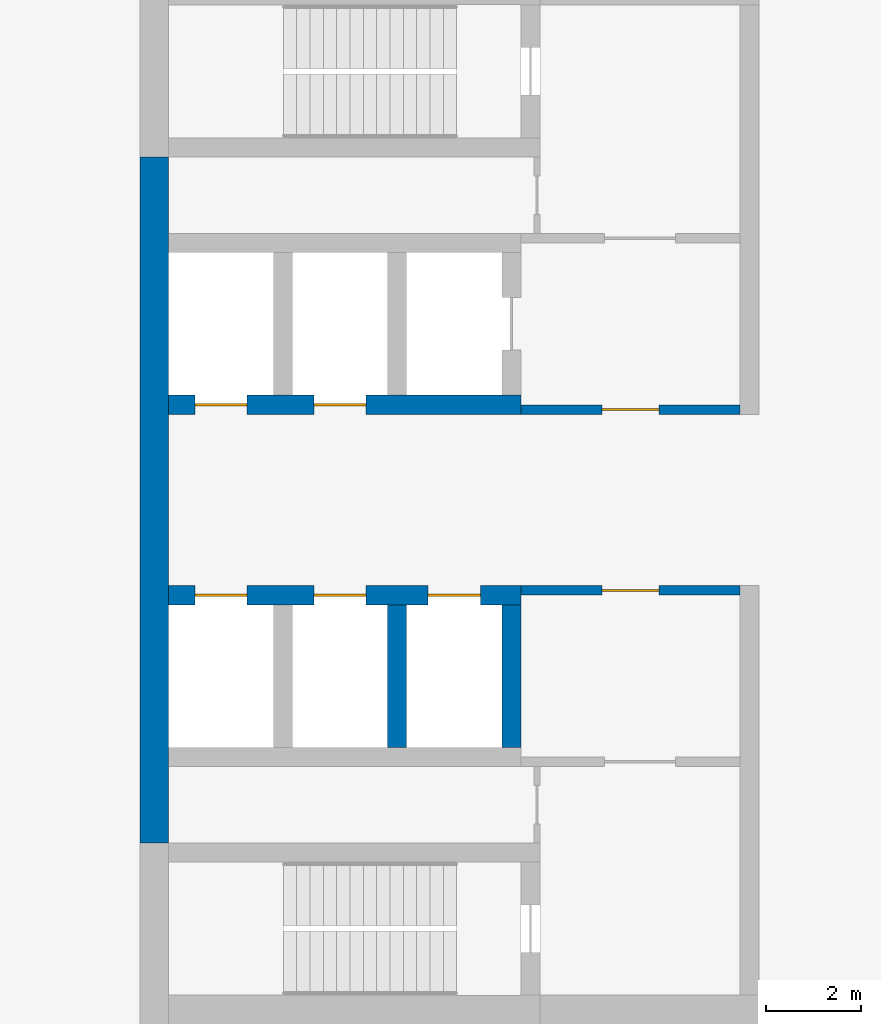
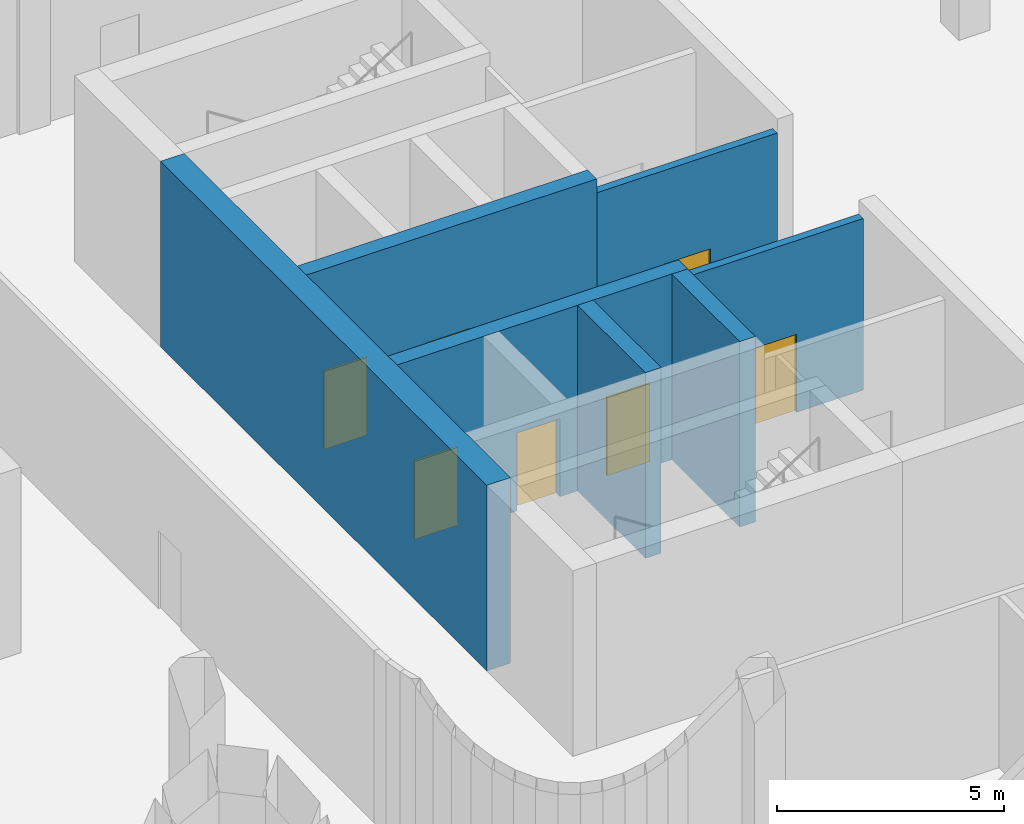
# One storey, part 10 of 18: 7 doors, 7 walls, 7 openings.
"""IFC4 building model written with IfcOpenShell, lengths in metres."""

from ifc_helpers import new_model, si_unit, direction, frame, frame_2d, origin, place, context, subcontext, project, spatial, rectangle, extrude, material, layer, layer_set, type_object, element, fill, save


model = new_model("IFC4")

# Units and contexts
model_context = context("Model", 3, precision=1e-05, world=origin(), true_north=direction((0.0, 1.0)))
body_context = subcontext(model_context, "Body", "Model", "MODEL_VIEW")
ifc_project = project(units=[si_unit("LENGTHUNIT", "METRE"), si_unit("AREAUNIT", "SQUARE_METRE"), si_unit("VOLUMEUNIT", "CUBIC_METRE"), si_unit("PLANEANGLEUNIT", "RADIAN"), si_unit("MASSUNIT", "GRAM", prefix="KILO")], contexts=[model_context])

# Site, building, storey
site_placement = place(None, origin())
site = spatial("IfcSite", under=ifc_project, at=site_placement, CompositionType="ELEMENT")
building_placement = place(site_placement, origin())
building = spatial("IfcBuilding", under=site, at=building_placement, Name="Skarvind Civic Tower", CompositionType="ELEMENT")
storey_placement = place(building_placement, frame((0.0, 0.0, 22.5)))
storey = spatial("IfcBuildingStorey", under=building, at=storey_placement, Name="L04", CompositionType="ELEMENT", Elevation=22.5)

# Wall, opening, door
ifc_material_1 = material(Name="Fire-rated masonry partition", Category="masonry")
ifc_layer_1 = layer(ifc_material_1, 0.199951171875)
ifc_layer_set_1 = layer_set([ifc_layer_1], Name="Core enclosure wall 200")
wall_type_1 = type_object("IfcWallType", Name="Core enclosure wall 200", PredefinedType="PARTITIONING", material=ifc_layer_set_1)
wall_1_placement = place(storey_placement, frame((135.0, 129.89990234375, 0.0), z_axis=(0.0, 0.0, 1.0), x_axis=(1.0, 0.0, 0.0)))
wall_1 = element("IfcWall", 1, at=wall_1_placement, inside=storey, type_object=wall_type_1, Name="Core wall CA", PredefinedType="PARTITIONING", context=body_context, shape_type="SweptSolid", body=[
    extrude(rectangle(XDim=4.60009765625, YDim=0.199951171875, at=frame_2d((2.300048828125, 0.0))), origin(), (0.0, 0.0, 1.0), 4.625),
])
opening_1_placement = place(wall_1_placement, frame((1.699951171875, 0.0, 0.0)))
opening_1 = element("IfcOpeningElement", 2, at=opening_1_placement, cuts=wall_1, Name="Opening D-L04-CA-06", PredefinedType="OPENING", context=body_context, shape_type="SweptSolid", body=[
    extrude(rectangle(XDim=1.199951171875, YDim=2.10009765625, at=frame_2d((0.60009765625, 1.050048828125))), frame((0.0, 0.10986328125, 0.0), z_axis=(0.0, -1.0, 0.0), x_axis=(1.0, 0.0, 0.0)), (0.0, 0.0, 1.0), 0.219970703125),
])
ifc_material_2 = material(Name="Fire-rated steel door", Category="steel")
door_type_1 = type_object("IfcDoorType", Name="Core lobby door 1200", OperationType="NOTDEFINED", PredefinedType="DOOR", material=ifc_material_2)
door_1_placement = place(opening_1_placement, origin())
door_1 = element("IfcDoor", 3, at=door_1_placement, inside=storey, type_object=door_type_1, Name="Fire door", OperationType="DOUBLE_DOOR_SINGLE_SWING", OverallHeight=2.10009765625, OverallWidth=1.199951171875, PredefinedType="DOOR", context=body_context, shape_type="SweptSolid", body=[
    extrude(rectangle(XDim=1.199951171875, YDim=2.10009765625, at=frame_2d((0.60009765625, 1.050048828125))), frame((0.0, 0.02490234375, 0.0), z_axis=(0.0, -1.0, 0.0), x_axis=(1.0, 0.0, 0.0)), (0.0, 0.0, 1.0), 0.050048828125),
])
fill(opening_1, door_1)

wall_2_placement = place(storey_placement, frame((139.60009765625, 126.10009765625, 0.0), z_axis=(0.0, 0.0, 1.0), x_axis=(-1.0, 0.0, 0.0)))
wall_2 = element("IfcWall", 4, at=wall_2_placement, inside=storey, type_object=wall_type_1, Name="Core wall CA", PredefinedType="PARTITIONING", context=body_context, shape_type="SweptSolid", body=[
    extrude(rectangle(XDim=4.60009765625, YDim=0.199951171875, at=frame_2d((2.300048828125, 0.0))), origin(), (0.0, 0.0, 1.0), 4.625),
])
opening_2_placement = place(wall_2_placement, frame((1.699951171875, 0.0, 0.0)))
opening_2 = element("IfcOpeningElement", 5, at=opening_2_placement, cuts=wall_2, Name="Opening D-L04-CA-10", PredefinedType="OPENING", context=body_context, shape_type="SweptSolid", body=[
    extrude(rectangle(XDim=1.199951171875, YDim=2.10009765625, at=frame_2d((0.60009765625, 1.050048828125))), frame((0.0, 0.10986328125, 0.0), z_axis=(0.0, -1.0, 0.0), x_axis=(1.0, 0.0, 0.0)), (0.0, 0.0, 1.0), 0.219970703125),
])
door_2_placement = place(opening_2_placement, origin())
door_2 = element("IfcDoor", 6, at=door_2_placement, inside=storey, type_object=door_type_1, Name="Fire door", OperationType="DOUBLE_DOOR_SINGLE_SWING", OverallHeight=2.10009765625, OverallWidth=1.199951171875, PredefinedType="DOOR", context=body_context, shape_type="SweptSolid", body=[
    extrude(rectangle(XDim=1.199951171875, YDim=2.10009765625, at=frame_2d((0.60009765625, 1.050048828125))), frame((0.0, 0.02490234375, 0.0), z_axis=(0.0, -1.0, 0.0), x_axis=(1.0, 0.0, 0.0)), (0.0, 0.0, 1.0), 0.050048828125),
])
fill(opening_2, door_2)

# Wall, openings, doors
ifc_material_3 = material(Name="Concrete C80", Category="concrete")
ifc_layer_2 = layer(ifc_material_3, 0.39990234375)
ifc_layer_set_2 = layer_set([ifc_layer_2], Name="Core wall 400 C80")
wall_type_2 = type_object("IfcWallType", Name="Core wall 400 C80", PredefinedType="SHEAR", material=ifc_layer_set_2)
wall_3_placement = place(storey_placement, frame((127.60009765625, 126.0, 0.0), z_axis=(0.0, 0.0, 1.0), x_axis=(1.0, 0.0, 0.0)))
wall_3 = element("IfcWall", 7, at=wall_3_placement, inside=storey, type_object=wall_type_2, Name="Core wall CA south lift row front L04", PredefinedType="SHEAR", context=body_context, shape_type="SweptSolid", body=[
    extrude(rectangle(XDim=7.39990234375, YDim=0.39990234375, at=frame_2d((3.699951171875, 0.0))), origin(), (0.0, 0.0, 1.0), 5.0),
])
opening_3_placement = place(wall_3_placement, frame((0.550048828125, 0.0, 0.0)))
opening_3 = element("IfcOpeningElement", 8, at=opening_3_placement, cuts=wall_3, Name="Opening LD06304", PredefinedType="OPENING", context=body_context, shape_type="SweptSolid", body=[
    extrude(rectangle(XDim=1.10009765625, YDim=2.10009765625, at=frame_2d((0.550048828125, 1.050048828125))), frame((0.0, 0.2099609375, 0.0), z_axis=(0.0, -1.0, 0.0), x_axis=(1.0, 0.0, 0.0)), (0.0, 0.0, 1.0), 0.419921875),
])
opening_4_placement = place(wall_3_placement, frame((3.050048828125, 0.0, 0.0)))
opening_4 = element("IfcOpeningElement", 9, at=opening_4_placement, cuts=wall_3, Name="Opening LD06305", PredefinedType="OPENING", context=body_context, shape_type="SweptSolid", body=[
    extrude(rectangle(XDim=1.10009765625, YDim=2.10009765625, at=frame_2d((0.550048828125, 1.050048828125))), frame((0.0, 0.2099609375, 0.0), z_axis=(0.0, -1.0, 0.0), x_axis=(1.0, 0.0, 0.0)), (0.0, 0.0, 1.0), 0.419921875),
])
opening_5_placement = place(wall_3_placement, frame((5.449951171875, 0.0, 0.0)))
opening_5 = element("IfcOpeningElement", 10, at=opening_5_placement, cuts=wall_3, Name="Opening LD06306", PredefinedType="OPENING", context=body_context, shape_type="SweptSolid", body=[
    extrude(rectangle(XDim=1.10009765625, YDim=2.10009765625, at=frame_2d((0.550048828125, 1.050048828125))), frame((0.0, 0.2099609375, 0.0), z_axis=(0.0, -1.0, 0.0), x_axis=(1.0, 0.0, 0.0)), (0.0, 0.0, 1.0), 0.419921875),
])
ifc_material_4 = material(Name="Stainless steel landing door", Category="steel")
door_type_2 = type_object("IfcDoorType", Name="Lift landing door 1100", OperationType="DOUBLE_DOOR_SLIDING", PredefinedType="DOOR", material=ifc_material_4)
door_3_placement = place(opening_3_placement, origin())
door_3 = element("IfcDoor", 11, at=door_3_placement, inside=storey, type_object=door_type_2, Name="Lift landing door", OperationType="DOUBLE_DOOR_SLIDING", OverallHeight=2.10009765625, OverallWidth=1.10009765625, PredefinedType="DOOR", context=body_context, shape_type="SweptSolid", body=[
    extrude(rectangle(XDim=1.10009765625, YDim=2.10009765625, at=frame_2d((0.550048828125, 1.050048828125))), frame((0.0, 0.02490234375, 0.0), z_axis=(0.0, -1.0, 0.0), x_axis=(1.0, 0.0, 0.0)), (0.0, 0.0, 1.0), 0.050048828125),
])
fill(opening_3, door_3)
door_4_placement = place(opening_4_placement, origin())
door_4 = element("IfcDoor", 12, at=door_4_placement, inside=storey, type_object=door_type_2, Name="Lift landing door", OperationType="DOUBLE_DOOR_SLIDING", OverallHeight=2.10009765625, OverallWidth=1.10009765625, PredefinedType="DOOR", context=body_context, shape_type="SweptSolid", body=[
    extrude(rectangle(XDim=1.10009765625, YDim=2.10009765625, at=frame_2d((0.550048828125, 1.050048828125))), frame((0.0, 0.02490234375, 0.0), z_axis=(0.0, -1.0, 0.0), x_axis=(1.0, 0.0, 0.0)), (0.0, 0.0, 1.0), 0.050048828125),
])
fill(opening_4, door_4)
door_5_placement = place(opening_5_placement, origin())
door_5 = element("IfcDoor", 13, at=door_5_placement, inside=storey, type_object=door_type_2, Name="Lift landing door", OperationType="DOUBLE_DOOR_SLIDING", OverallHeight=2.10009765625, OverallWidth=1.10009765625, PredefinedType="DOOR", context=body_context, shape_type="SweptSolid", body=[
    extrude(rectangle(XDim=1.10009765625, YDim=2.10009765625, at=frame_2d((0.550048828125, 1.050048828125))), frame((0.0, 0.02490234375, 0.0), z_axis=(0.0, -1.0, 0.0), x_axis=(1.0, 0.0, 0.0)), (0.0, 0.0, 1.0), 0.050048828125),
])
fill(opening_5, door_5)

# Walls
for number, where, z_axis, x_axis, name in (
    (14, (132.39990234375, 122.800048828125, 0.0), (0.0, 0.0, 1.0), (0.0, 1.0, 0.0), "Core wall CA south lift row division 2 L04"),
    (15, (134.800048828125, 122.800048828125, 0.0), (0.0, 0.0, 1.0), (0.0, 1.0, 0.0), "Core wall CA south lift row division 3 L04"),
):
    element("IfcWall", number, at=place(storey_placement, frame(where, z_axis=z_axis, x_axis=x_axis)), inside=storey, type_object=wall_type_2, Name=name, PredefinedType="SHEAR", context=body_context, shape_type="SweptSolid", body=[
        extrude(rectangle(XDim=3.0, YDim=0.39990234375, at=frame_2d((1.5, 0.0))), origin(), (0.0, 0.0, 1.0), 5.0),
    ])

# Wall, openings, doors
wall_4_placement = place(storey_placement, frame((127.60009765625, 130.0, 0.0), z_axis=(0.0, 0.0, 1.0), x_axis=(1.0, 0.0, 0.0)))
wall_4 = element("IfcWall", 16, at=wall_4_placement, inside=storey, type_object=wall_type_2, Name="Core wall CA north lift row front L04", PredefinedType="SHEAR", context=body_context, shape_type="SweptSolid", body=[
    extrude(rectangle(XDim=7.39990234375, YDim=0.39990234375, at=frame_2d((3.699951171875, 0.0))), origin(), (0.0, 0.0, 1.0), 5.0),
])
opening_6_placement = place(wall_4_placement, frame((0.550048828125, 0.0, 0.0)))
opening_6 = element("IfcOpeningElement", 17, at=opening_6_placement, cuts=wall_4, Name="Opening LD06301", PredefinedType="OPENING", context=body_context, shape_type="SweptSolid", body=[
    extrude(rectangle(XDim=1.10009765625, YDim=2.10009765625, at=frame_2d((0.550048828125, 1.050048828125))), frame((0.0, 0.2099609375, 0.0), z_axis=(0.0, -1.0, 0.0), x_axis=(1.0, 0.0, 0.0)), (0.0, 0.0, 1.0), 0.419921875),
])
opening_7_placement = place(wall_4_placement, frame((3.050048828125, 0.0, 0.0)))
opening_7 = element("IfcOpeningElement", 18, at=opening_7_placement, cuts=wall_4, Name="Opening LD06302", PredefinedType="OPENING", context=body_context, shape_type="SweptSolid", body=[
    extrude(rectangle(XDim=1.10009765625, YDim=2.10009765625, at=frame_2d((0.550048828125, 1.050048828125))), frame((0.0, 0.2099609375, 0.0), z_axis=(0.0, -1.0, 0.0), x_axis=(1.0, 0.0, 0.0)), (0.0, 0.0, 1.0), 0.419921875),
])
door_6_placement = place(opening_6_placement, origin())
door_6 = element("IfcDoor", 19, at=door_6_placement, inside=storey, type_object=door_type_2, Name="Lift landing door", OperationType="DOUBLE_DOOR_SLIDING", OverallHeight=2.10009765625, OverallWidth=1.10009765625, PredefinedType="DOOR", context=body_context, shape_type="SweptSolid", body=[
    extrude(rectangle(XDim=1.10009765625, YDim=2.10009765625, at=frame_2d((0.550048828125, 1.050048828125))), frame((0.0, 0.02490234375, 0.0), z_axis=(0.0, -1.0, 0.0), x_axis=(1.0, 0.0, 0.0)), (0.0, 0.0, 1.0), 0.050048828125),
])
fill(opening_6, door_6)
door_7_placement = place(opening_7_placement, origin())
door_7 = element("IfcDoor", 20, at=door_7_placement, inside=storey, type_object=door_type_2, Name="Lift landing door", OperationType="DOUBLE_DOOR_SLIDING", OverallHeight=2.10009765625, OverallWidth=1.10009765625, PredefinedType="DOOR", context=body_context, shape_type="SweptSolid", body=[
    extrude(rectangle(XDim=1.10009765625, YDim=2.10009765625, at=frame_2d((0.550048828125, 1.050048828125))), frame((0.0, 0.02490234375, 0.0), z_axis=(0.0, -1.0, 0.0), x_axis=(1.0, 0.0, 0.0)), (0.0, 0.0, 1.0), 0.050048828125),
])
fill(opening_7, door_7)

# Wall
ifc_layer_3 = layer(ifc_material_3, 0.60009765625)
ifc_layer_set_3 = layer_set([ifc_layer_3], Name="Core wall 600 C80")
wall_type_3 = type_object("IfcWallType", Name="Core wall 600 C80", PredefinedType="SHEAR", material=ifc_layer_set_3)
wall_5_placement = place(storey_placement, frame((127.300048828125, 120.800048828125, 0.0), z_axis=(0.0, 0.0, 1.0), x_axis=(0.0, 1.0, 0.0)))
element("IfcWall", 21, at=wall_5_placement, inside=storey, type_object=wall_type_3, Name="Core wall CA tip between the stairs L04", PredefinedType="SHEAR", context=body_context, shape_type="SweptSolid", body=[
    extrude(rectangle(XDim=14.39990234375, YDim=0.60009765625, at=frame_2d((7.199951171875, 0.0))), origin(), (0.0, 0.0, 1.0), 5.0),
])

save(model, "model.ifc")
